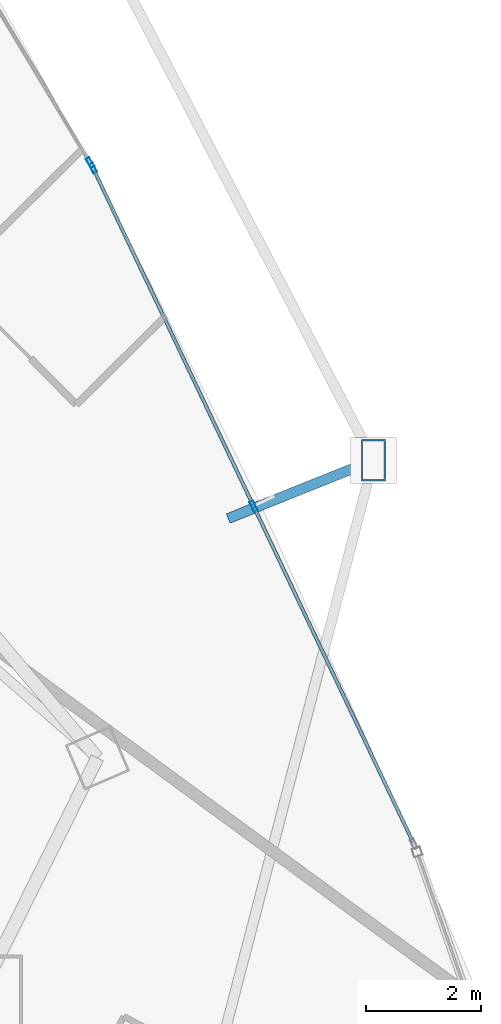
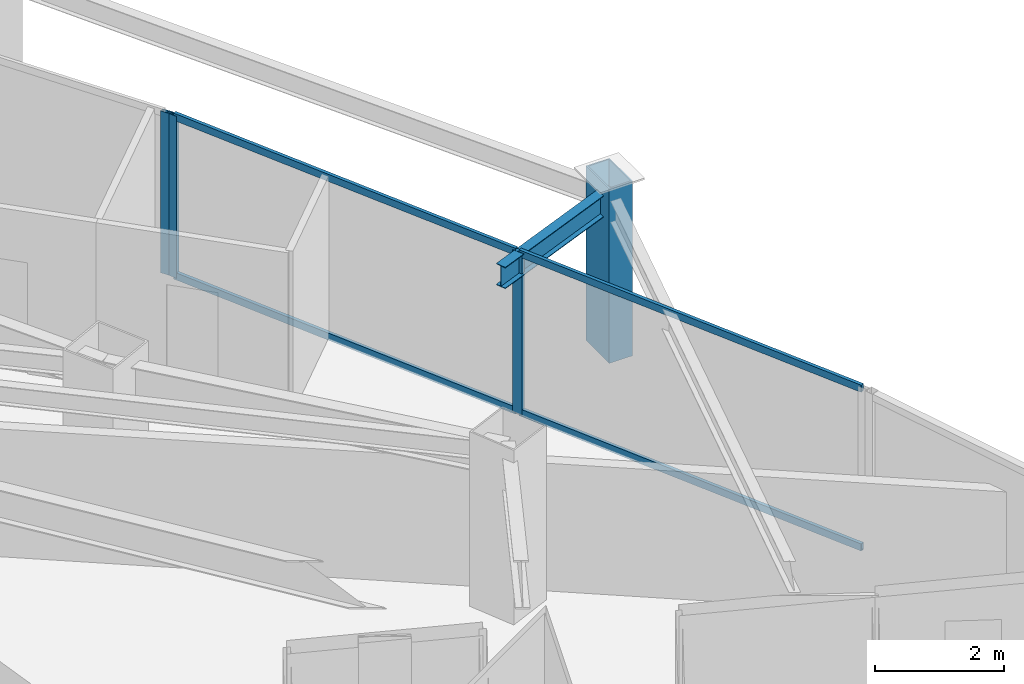
# One storey, part 20 of 35: 8 members, 1 beam, 2 elements without a shape of their own.
"""IFC4 building model written with IfcOpenShell, lengths in metres."""

from ifc_helpers import new_model, si_unit, direction, frame, origin, origin_2d, place, context, subcontext, project, spatial, hollow_rectangle, i_section, extrude, material, layer, layer_set, material_profile, profile_set, type_object, element, aggregate, save


model = new_model("IFC4")

# Units and contexts
model_context = context("Model", 3, precision=1e-05, world=origin(), true_north=direction((0.0, 1.0)))
body_context = subcontext(model_context, "Body", "Model", "MODEL_VIEW")
ifc_project = project(units=[si_unit("LENGTHUNIT", "METRE"), si_unit("AREAUNIT", "SQUARE_METRE"), si_unit("VOLUMEUNIT", "CUBIC_METRE"), si_unit("PLANEANGLEUNIT", "RADIAN"), si_unit("MASSUNIT", "GRAM", prefix="KILO")], contexts=[model_context])

# Site, building, storey
site_placement = place(None, origin())
site = spatial("IfcSite", under=ifc_project, at=site_placement, CompositionType="ELEMENT")
building_placement = place(site_placement, origin())
building = spatial("IfcBuilding", under=site, at=building_placement, Name="Orvanel Arch Residences", CompositionType="ELEMENT")
storey_placement = place(building_placement, frame((0.0, 0.0, 30.199951171875)))
storey = spatial("IfcBuildingStorey", under=building, at=storey_placement, Name="L07", CompositionType="ELEMENT", Elevation=30.199951171875)

# Member
ifc_material_1 = material(Name="Structural steel AS/NZS 3678 Grade 350", Category="steel")
ifc_material_profile_1 = material_profile(ifc_material_1, hollow_rectangle(XDim=0.419921875, YDim=0.719970703125, WallThickness=0.02490234375, at=origin_2d()), Name="RHS720x420x25")
ifc_profile_set_1 = profile_set([ifc_material_profile_1], Name="Structural steel AS/NZS 3678 Grade 350")
member_type_1 = type_object("IfcMemberType", Name="CH-720RHS-EXT", PredefinedType="CHORD", material=ifc_profile_set_1)
member_1_placement = place(storey_placement, frame((58.701904296875, 19.75390625, 0.0), z_axis=(0.0, 0.0, 1.0), x_axis=(1.0, 0.0, 0.0)))
element("IfcMember", 1, at=member_1_placement, inside=storey, type_object=member_type_1, Name="L07 Outer Perimeter Frame Post 09", PredefinedType="CHORD", context=body_context, shape_type="SweptSolid", body=[
    extrude(hollow_rectangle(XDim=0.419921875, YDim=0.719970703125, WallThickness=0.02490234375, at=origin_2d()), origin(), (0.0, 0.0, 1.0), 3.300048828125),
])

# Curtain wall, members
ifc_material_2 = material(Name="Bronze-anodised aluminium AA6063-T6", Category="aluminium")
ifc_layer = layer(ifc_material_2, 0.179931640625)
ifc_layer_set = layer_set([ifc_layer], Name="Bronze-anodised aluminium AA6063-T6")
curtain_wall_type = type_object("IfcCurtainWallType", Name="CW2-LOW-SYS", PredefinedType="NOTDEFINED", material=ifc_layer_set)
curtain_wall_1_placement = place(storey_placement, origin())
curtain_wall_1 = element("IfcCurtainWall", 2, at=curtain_wall_1_placement, inside=storey, type_object=curtain_wall_type, Name="L07 CW2-LOW-SYS Unitised Curtain Wall", PredefinedType="NOTDEFINED")
ifc_material_profile_2 = material_profile(ifc_material_2, hollow_rectangle(XDim=0.070068359375, YDim=0.179931640625, WallThickness=0.00439453125, at=origin_2d()), Name="ALU180x70x4.5")
ifc_profile_set_2 = profile_set([ifc_material_profile_2], Name="Bronze-anodised aluminium AA6063-T6")
member_type_2 = type_object("IfcMemberType", Name="MUL-180x70", PredefinedType="MULLION", material=ifc_profile_set_2)
member_2_placement = place(storey_placement, frame((56.618896484375, 18.95947265625, 0.0), z_axis=(0.0, 0.0, 1.0), x_axis=(-0.903402710016, -0.428793124403, 0.0)))
member_2 = element("IfcMember", 3, at=member_2_placement, type_object=member_type_2, Name="CW-S2 mullion 2", PredefinedType="MULLION", context=body_context, shape_type="SweptSolid", body=[
    extrude(hollow_rectangle(XDim=0.070068359375, YDim=0.179931640625, WallThickness=0.00439453125, at=origin_2d()), origin(), (0.0, 0.0, 1.0), 3.06005859375),
])
member_3_placement = place(storey_placement, frame((53.8310546875, 24.83349609375, 0.0), z_axis=(0.0, 0.0, 1.0), x_axis=(-0.903402710016, -0.428793124403, 0.0)))
member_3 = element("IfcMember", 4, at=member_3_placement, type_object=member_type_2, Name="CW-S2 mullion 3", PredefinedType="MULLION", context=body_context, shape_type="SweptSolid", body=[
    extrude(hollow_rectangle(XDim=0.070068359375, YDim=0.179931640625, WallThickness=0.00439453125, at=origin_2d()), origin(), (0.0, 0.0, 1.0), 3.06005859375),
])

# Curtain wall, member
curtain_wall_2_placement = place(storey_placement, origin())
curtain_wall_2 = element("IfcCurtainWall", 5, at=curtain_wall_2_placement, inside=storey, type_object=curtain_wall_type, Name="L07 CW2-LOW-SYS Unitised Curtain Wall", PredefinedType="NOTDEFINED")
member_4_placement = place(storey_placement, frame((53.779052734375, 24.929931640625, 0.0), z_axis=(0.0, 0.0, 1.0), x_axis=(-0.857540386644, -0.514416645603, 0.0)))
member_4 = element("IfcMember", 6, at=member_4_placement, type_object=member_type_2, Name="CW-S2 mullion 1", PredefinedType="MULLION", context=body_context, shape_type="SweptSolid", body=[
    extrude(hollow_rectangle(XDim=0.070068359375, YDim=0.179931640625, WallThickness=0.00439453125, at=origin_2d()), origin(), (0.0, 0.0, 1.0), 3.06005859375),
])
aggregate(curtain_wall_2, [member_4])

# Beam
ifc_material_3 = material(Name="Structural steel AS/NZS 3679.1 Grade 300 (300 MPa)", Category="steel")
ifc_material_profile_3 = material_profile(ifc_material_3, i_section(OverallWidth=0.177978515625, OverallDepth=0.406005859375, WebThickness=0.0078125, FlangeThickness=0.0126953125, at=origin_2d()), Name="410UB59.7")
ifc_profile_set_3 = profile_set([ifc_material_profile_3], Name="Structural steel AS/NZS 3679.1 Grade 300 (300 MPa)")
beam_type = type_object("IfcBeamType", Name="OB-410UB-EXT", PredefinedType="SPANDREL", material=ifc_profile_set_3)
beam_placement = place(storey_placement, frame((56.177978515625, 18.742919921875, 2.85693359375), z_axis=(0.928296993052, 0.371839606135, 0.0), x_axis=(-0.371839606135, 0.928296993052, 0.0)))
element("IfcBeam", 7, at=beam_placement, inside=storey, type_object=beam_type, Name="L07 Outer Frame Radial Tie Beam 09", PredefinedType="SPANDREL", context=body_context, shape_type="SweptSolid", body=[
    extrude(i_section(OverallWidth=0.177978515625, OverallDepth=0.406005859375, WebThickness=0.0078125, FlangeThickness=0.0126953125, at=origin_2d()), origin(), (0.0, 0.0, 1.0), 2.718994140625),
])

# Member
ifc_material_profile_4 = material_profile(ifc_material_2, hollow_rectangle(XDim=0.06005859375, YDim=0.135009765625, WallThickness=0.00390625, at=origin_2d()), Name="ALU135x60x4")
ifc_profile_set_4 = profile_set([ifc_material_profile_4], Name="Bronze-anodised aluminium AA6063-T6")
member_type_3 = type_object("IfcMemberType", Name="TRN-135x60", PredefinedType="USERDEFINED", material=ifc_profile_set_4)
member_5_placement = place(storey_placement, frame((59.39208984375, 13.1171875, 0.030029296875), z_axis=(-0.428794333507, 0.903402136124, 0.0), x_axis=(-0.903402136124, -0.428794333507, 0.0)))
member_5 = element("IfcMember", 8, at=member_5_placement, type_object=member_type_3, Name="CW-S2 transom 1.1", ObjectType="TRANSOM", PredefinedType="USERDEFINED", context=body_context, shape_type="SweptSolid", body=[
    extrude(hollow_rectangle(XDim=0.06005859375, YDim=0.135009765625, WallThickness=0.00390625, at=origin_2d()), origin(), (0.0, 0.0, 1.0), 6.43212890625),
])

member_6_placement = place(storey_placement, frame((59.39208984375, 13.1171875, 3.030029296875), z_axis=(-0.428794333507, 0.903402136124, 0.0), x_axis=(-0.903402136124, -0.428794333507, 0.0)))
member_6 = element("IfcMember", 9, at=member_6_placement, type_object=member_type_3, Name="CW-S2 transom 1.2", ObjectType="TRANSOM", PredefinedType="USERDEFINED", context=body_context, shape_type="SweptSolid", body=[
    extrude(hollow_rectangle(XDim=0.06005859375, YDim=0.135009765625, WallThickness=0.00390625, at=origin_2d()), origin(), (0.0, 0.0, 1.0), 6.43212890625),
])

member_7_placement = place(storey_placement, frame((56.60400390625, 18.9912109375, 0.030029296875), z_axis=(-0.428809037296, 0.903395156913, 0.0), x_axis=(-0.903395156913, -0.428809037296, 0.0)))
member_7 = element("IfcMember", 10, at=member_7_placement, type_object=member_type_3, Name="CW-S2 transom 2.1", ObjectType="TRANSOM", PredefinedType="USERDEFINED", context=body_context, shape_type="SweptSolid", body=[
    extrude(hollow_rectangle(XDim=0.06005859375, YDim=0.135009765625, WallThickness=0.00390625, at=origin_2d()), origin(), (0.0, 0.0, 1.0), 6.431884765625),
])

member_8_placement = place(storey_placement, frame((56.60400390625, 18.9912109375, 3.030029296875), z_axis=(-0.428809037296, 0.903395156913, 0.0), x_axis=(-0.903395156913, -0.428809037296, 0.0)))
member_8 = element("IfcMember", 11, at=member_8_placement, type_object=member_type_3, Name="CW-S2 transom 2.2", ObjectType="TRANSOM", PredefinedType="USERDEFINED", context=body_context, shape_type="SweptSolid", body=[
    extrude(hollow_rectangle(XDim=0.06005859375, YDim=0.135009765625, WallThickness=0.00390625, at=origin_2d()), origin(), (0.0, 0.0, 1.0), 6.431884765625),
])

aggregate(curtain_wall_1, [member_2, member_3, member_5, member_6, member_7, member_8])

save(model, "model.ifc")
